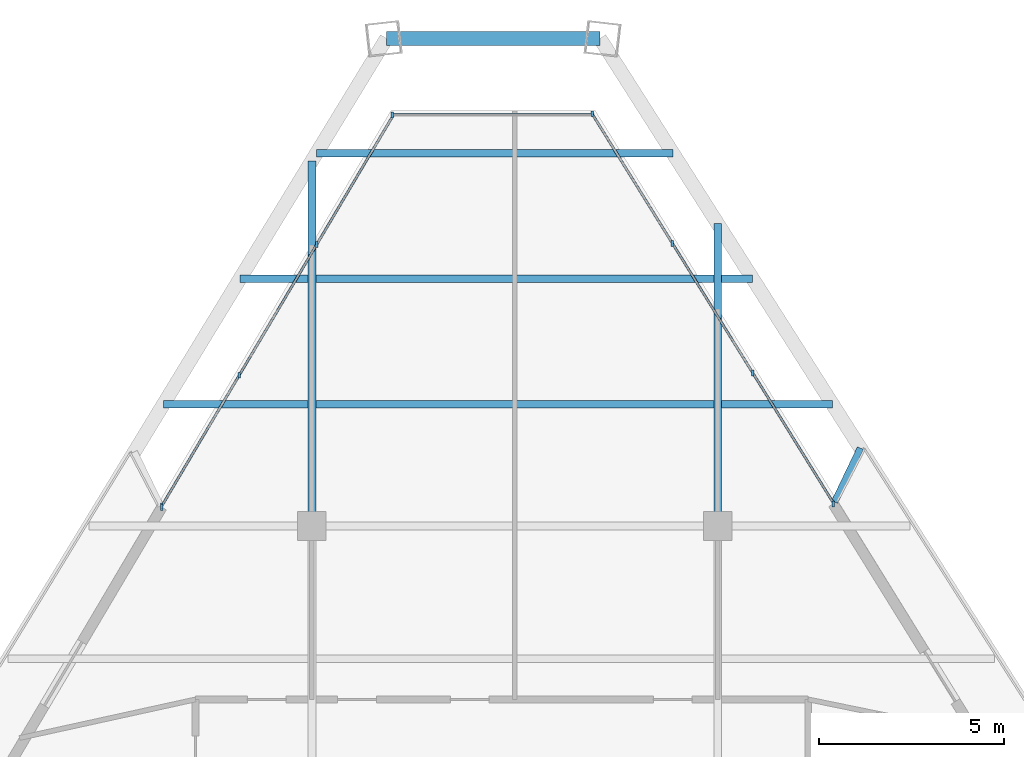
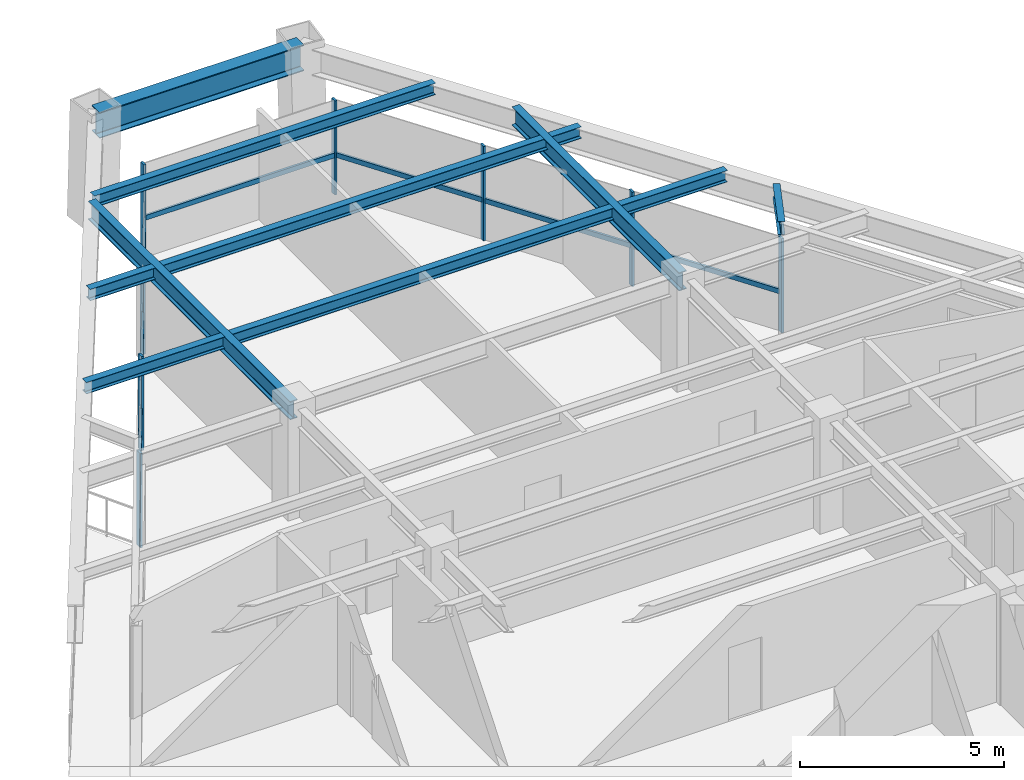
# One storey, part 6 of 12: 16 members, 10 beams, 3 elements without a shape of their own.
"""IFC4 building model written with IfcOpenShell, lengths in metres."""

from ifc_helpers import new_model, si_unit, direction, frame, origin, origin_2d, place, context, subcontext, project, spatial, rectangle, i_section, extrude, source, transform, mapped, material, material_profile, profile_set, type_object, type_shapes, element, aggregate, save


model = new_model("IFC4")

# Units and contexts
model_context = context("Model", 3, precision=1e-05, world=origin(), true_north=direction((0.0, 1.0)))
body_context = subcontext(model_context, "Body", "Model", "MODEL_VIEW")
ifc_project = project(units=[si_unit("LENGTHUNIT", "METRE"), si_unit("AREAUNIT", "SQUARE_METRE"), si_unit("VOLUMEUNIT", "CUBIC_METRE"), si_unit("PLANEANGLEUNIT", "RADIAN"), si_unit("MASSUNIT", "GRAM", prefix="KILO")], contexts=[model_context])

# Site, building, storey
site_placement = place(None, origin())
site = spatial("IfcSite", under=ifc_project, at=site_placement, CompositionType="ELEMENT")
building_placement = place(site_placement, origin())
building = spatial("IfcBuilding", under=site, at=building_placement, Name="Varnakhor Terracotta Tower", CompositionType="ELEMENT")
storey_placement = place(building_placement, frame((0.0, 0.0, 233.800048828125)))
storey = spatial("IfcBuildingStorey", under=building, at=storey_placement, Name="L60", CompositionType="ELEMENT", Elevation=233.800048828125)

# Beams
ifc_material_1 = material(Name="Steel S355", Category="steel")
ifc_material_profile_1 = material_profile(ifc_material_1, i_section(OverallWidth=0.202880859375, OverallDepth=0.346923828125, WebThickness=0.0078125, FlangeThickness=0.013427734375, FilletRadius=0.01806640625, at=origin_2d()), Name="W14X43")
ifc_profile_set_1 = profile_set([ifc_material_profile_1], Name="Steel S355")
beam_type_1 = type_object("IfcBeamType", Name="JST-W14X43", PredefinedType="JOIST", material=ifc_profile_set_1)
shared_shape_1 = source(origin(), body_context, "Body", "SweptSolid", [
    extrude(i_section(OverallWidth=0.202880859375, OverallDepth=0.346923828125, WebThickness=0.0078125, FlangeThickness=0.013427734375, FilletRadius=0.01806640625, at=origin_2d()), origin(), (0.0, 0.0, 1.0), 10.7939453125),
])
beam_1_placement = place(storey_placement, frame((-5.39697265625, 34.800048828125, 3.06640625), z_axis=(1.0, 0.0, 0.0), x_axis=(0.0, 1.0, 0.0)))
element("IfcBeam", 1, at=beam_1_placement, inside=storey, type_object=beam_type_1, Name="L60 Composite Floor Joist 7-2", PredefinedType="JOIST", context=body_context, shape_type="MappedRepresentation", body=[
    mapped(shared_shape_1, transform((0.0, 0.0, 0.0), scale=1.0)),
])
ifc_material_profile_2 = material_profile(ifc_material_1, i_section(OverallWidth=0.381103515625, OverallDepth=0.77294921875, WebThickness=0.01708984375, FlangeThickness=0.027099609375, FilletRadius=0.01806640625, at=origin_2d()), Name="W30X173")
ifc_profile_set_2 = profile_set([ifc_material_profile_2], Name="Steel S355")
beam_type_2 = type_object("IfcBeamType", Name="BM-W30X173", PredefinedType="BEAM", material=ifc_profile_set_2)
shared_shape_2 = source(origin(), body_context, "Body", "SweptSolid", [
    extrude(i_section(OverallWidth=0.381103515625, OverallDepth=0.77294921875, WebThickness=0.01708984375, FlangeThickness=0.027099609375, FilletRadius=0.01806640625, at=origin_2d()), origin(), (0.0, 0.0, 1.0), 5.782958984375),
])
beam_2_placement = place(storey_placement, frame((2.306396484375, 44.710693359375, 2.853515625), z_axis=(-1.0, 0.0, 0.0), x_axis=(0.0, -1.0, 0.0)))
element("IfcBeam", 2, at=beam_2_placement, inside=storey, type_object=beam_type_2, Name="L60 Perimeter Spandrel 5", PredefinedType="BEAM", context=body_context, shape_type="MappedRepresentation", body=[
    mapped(shared_shape_2, transform((0.0, 0.0, 0.0), scale=1.0)),
])
ifc_material_profile_3 = material_profile(ifc_material_1, i_section(OverallWidth=0.214111328125, OverallDepth=0.549072265625, WebThickness=0.014892578125, FlangeThickness=0.02392578125, FilletRadius=0.01806640625, at=origin_2d()), Name="W21X93")
ifc_profile_set_3 = profile_set([ifc_material_profile_3], Name="Steel S355")
beam_type_3 = type_object("IfcBeamType", Name="BM-W21X93", PredefinedType="BEAM", material=ifc_profile_set_3)
shared_shape_3 = source(origin(), body_context, "Body", "SweptSolid", [
    extrude(i_section(OverallWidth=0.214111328125, OverallDepth=0.549072265625, WebThickness=0.014892578125, FlangeThickness=0.02392578125, FilletRadius=0.01806640625, at=origin_2d()), origin(), (0.0, 0.0, 1.0), 9.89208984375),
])
beam_3_placement = place(storey_placement, frame((-5.5, 31.5, 2.96533203125), z_axis=(0.0, 1.0, 0.0), x_axis=(-1.0, 0.0, 0.0)))
element("IfcBeam", 3, at=beam_3_placement, inside=storey, type_object=beam_type_3, Name="L60 Primary Girder NS3-W", PredefinedType="BEAM", context=body_context, shape_type="MappedRepresentation", body=[
    mapped(shared_shape_3, transform((0.0, 0.0, 0.0), scale=1.0)),
])
shared_shape_4 = source(origin(), body_context, "Body", "SweptSolid", [
    extrude(i_section(OverallWidth=0.214111328125, OverallDepth=0.549072265625, WebThickness=0.014892578125, FlangeThickness=0.02392578125, FilletRadius=0.01806640625, at=origin_2d()), origin(), (0.0, 0.0, 1.0), 8.188720703125),
])
beam_4_placement = place(storey_placement, frame((5.5, 31.5, 2.96533203125), z_axis=(0.0, 1.0, 0.0), x_axis=(-1.0, 0.0, 0.0)))
element("IfcBeam", 4, at=beam_4_placement, inside=storey, type_object=beam_type_3, Name="L60 Primary Girder NS3-E", PredefinedType="BEAM", context=body_context, shape_type="MappedRepresentation", body=[
    mapped(shared_shape_4, transform((0.0, 0.0, 0.0), scale=1.0)),
])
shared_shape_5 = source(origin(), body_context, "Body", "SweptSolid", [
    extrude(i_section(OverallWidth=0.202880859375, OverallDepth=0.346923828125, WebThickness=0.0078125, FlangeThickness=0.013427734375, FilletRadius=0.01806640625, at=origin_2d()), origin(), (0.0, 0.0, 1.0), 3.916259765625),
])
beam_5_placement = place(storey_placement, frame((-9.519287109375, 34.800048828125, 3.06640625), z_axis=(1.0, 0.0, 0.0), x_axis=(0.0, 1.0, 0.0)))
element("IfcBeam", 5, at=beam_5_placement, inside=storey, type_object=beam_type_1, Name="L60 Composite Floor Joist 7-1", PredefinedType="JOIST", context=body_context, shape_type="MappedRepresentation", body=[
    mapped(shared_shape_5, transform((0.0, 0.0, 0.0), scale=1.0)),
])
shared_shape_6 = source(origin(), body_context, "Body", "SweptSolid", [
    extrude(i_section(OverallWidth=0.202880859375, OverallDepth=0.346923828125, WebThickness=0.0078125, FlangeThickness=0.013427734375, FilletRadius=0.01806640625, at=origin_2d()), origin(), (0.0, 0.0, 1.0), 3.00537109375),
])
beam_6_placement = place(storey_placement, frame((5.60302734375, 34.800048828125, 3.06640625), z_axis=(1.0, 0.0, 0.0), x_axis=(0.0, 1.0, 0.0)))
element("IfcBeam", 6, at=beam_6_placement, inside=storey, type_object=beam_type_1, Name="L60 Composite Floor Joist 7-3", PredefinedType="JOIST", context=body_context, shape_type="MappedRepresentation", body=[
    mapped(shared_shape_6, transform((0.0, 0.0, 0.0), scale=1.0)),
])
shared_shape_7 = source(origin(), body_context, "Body", "SweptSolid", [
    extrude(i_section(OverallWidth=0.202880859375, OverallDepth=0.346923828125, WebThickness=0.0078125, FlangeThickness=0.013427734375, FilletRadius=0.01806640625, at=origin_2d()), origin(), (0.0, 0.0, 1.0), 1.84326171875),
])
beam_7_placement = place(storey_placement, frame((-7.4462890625, 38.199951171875, 3.06640625), z_axis=(1.0, 0.0, 0.0), x_axis=(0.0, 1.0, 0.0)))
element("IfcBeam", 7, at=beam_7_placement, inside=storey, type_object=beam_type_1, Name="L60 Composite Floor Joist 8-1", PredefinedType="JOIST", context=body_context, shape_type="MappedRepresentation", body=[
    mapped(shared_shape_7, transform((0.0, 0.0, 0.0), scale=1.0)),
])
shared_shape_8 = source(origin(), body_context, "Body", "SweptSolid", [
    extrude(i_section(OverallWidth=0.202880859375, OverallDepth=0.346923828125, WebThickness=0.0078125, FlangeThickness=0.013427734375, FilletRadius=0.01806640625, at=origin_2d()), origin(), (0.0, 0.0, 1.0), 11.843505859375),
])
beam_8_placement = place(storey_placement, frame((-5.39697265625, 38.199951171875, 3.06640625), z_axis=(1.0, 0.0, 0.0), x_axis=(0.0, 1.0, 0.0)))
element("IfcBeam", 8, at=beam_8_placement, inside=storey, type_object=beam_type_1, Name="L60 Composite Floor Joist 8-2", PredefinedType="JOIST", context=body_context, shape_type="MappedRepresentation", body=[
    mapped(shared_shape_8, transform((0.0, 0.0, 0.0), scale=1.0)),
])
shared_shape_9 = source(origin(), body_context, "Body", "SweptSolid", [
    extrude(i_section(OverallWidth=0.202880859375, OverallDepth=0.346923828125, WebThickness=0.0078125, FlangeThickness=0.013427734375, FilletRadius=0.01806640625, at=origin_2d()), origin(), (0.0, 0.0, 1.0), 9.657958984375),
])
beam_9_placement = place(storey_placement, frame((-5.373291015625, 41.60009765625, 3.06640625), z_axis=(1.0, 0.0, 0.0), x_axis=(0.0, 1.0, 0.0)))
element("IfcBeam", 9, at=beam_9_placement, inside=storey, type_object=beam_type_1, Name="L60 Composite Floor Joist 9-1", PredefinedType="JOIST", context=body_context, shape_type="MappedRepresentation", body=[
    mapped(shared_shape_9, transform((0.0, 0.0, 0.0), scale=1.0)),
])

# Curtain wall, members
ifc_material_2 = material(Name="Anodised Aluminium Curtain Wall System", Category="aluminium")
curtain_wall_type = type_object("IfcCurtainWallType", Name="CW-SYS-HOTEL-LOGGIA", PredefinedType="NOTDEFINED", material=ifc_material_2)
curtain_wall_1_placement = place(storey_placement, origin())
curtain_wall_1 = element("IfcCurtainWall", 10, at=curtain_wall_1_placement, inside=storey, type_object=curtain_wall_type, Name="L60 W Facet Curtain Wall 2", PredefinedType="NOTDEFINED")
ifc_material_3 = material(Name="Anodised Aluminium 6063-T6", Category="aluminium")
ifc_material_profile_4 = material_profile(ifc_material_3, rectangle(XDim=0.06494140625, YDim=0.159912109375, at=origin_2d()), Name="ALU MULLION 65x160")
ifc_profile_set_4 = profile_set([ifc_material_profile_4], Name="Anodised Aluminium 6063-T6")
member_type_1 = type_object("IfcMemberType", Name="CWM-04", PredefinedType="MULLION", material=ifc_profile_set_4)
shared_shape_10 = source(origin(), body_context, "Body", "SweptSolid", [
    extrude(rectangle(XDim=0.06494140625, YDim=0.159912109375, at=origin_2d()), origin(), (0.0, 0.0, 1.0), 2.820068359375),
])
type_shapes(member_type_1, [shared_shape_10])
member_1_placement = place(storey_placement, frame((-9.565185546875, 32.040771484375, 0.0), z_axis=(0.0, 0.0, 1.0), x_axis=(1.0, 0.0, 0.0)))
member_1 = element("IfcMember", 11, at=member_1_placement, type_object=member_type_1, Name="L60 W Facet Curtain Wall 2 Mullion 1", PredefinedType="MULLION", context=body_context, shape_type="MappedRepresentation", body=[
    mapped(shared_shape_10, transform((0.0, 0.0, 0.0), scale=1.0)),
])
member_2_placement = place(storey_placement, frame((-7.4658203125, 35.584228515625, 0.0), z_axis=(0.0, 0.0, 1.0), x_axis=(1.0, 0.0, 0.0)))
member_2 = element("IfcMember", 12, at=member_2_placement, type_object=member_type_1, Name="L60 W Facet Curtain Wall 2 Mullion 2", PredefinedType="MULLION", context=body_context, shape_type="MappedRepresentation", body=[
    mapped(shared_shape_10, transform((0.0, 0.0, 0.0), scale=1.0)),
])
member_3_placement = place(storey_placement, frame((-5.3662109375, 39.127685546875, 0.0), z_axis=(0.0, 0.0, 1.0), x_axis=(1.0, 0.0, 0.0)))
member_3 = element("IfcMember", 13, at=member_3_placement, type_object=member_type_1, Name="L60 W Facet Curtain Wall 2 Mullion 3", PredefinedType="MULLION", context=body_context, shape_type="MappedRepresentation", body=[
    mapped(shared_shape_10, transform((0.0, 0.0, 0.0), scale=1.0)),
])
member_4_placement = place(storey_placement, frame((-9.563232421875, 32.0048828125, 0.0), z_axis=(0.0, 0.0, 1.0), x_axis=(1.0, 0.0, 0.0)))
member_4 = element("IfcMember", 14, at=member_4_placement, type_object=member_type_1, Name="L60 W Loggia Jamb Closure Mullion 2", PredefinedType="MULLION", context=body_context, shape_type="MappedRepresentation", body=[
    mapped(shared_shape_10, transform((0.0, 0.0, 0.0), scale=1.0)),
])

# Curtain wall, member
curtain_wall_2_placement = place(storey_placement, origin())
curtain_wall_2 = element("IfcCurtainWall", 15, at=curtain_wall_2_placement, inside=storey, type_object=curtain_wall_type, Name="L60 Facet Curtain Wall 2", PredefinedType="NOTDEFINED")
member_5_placement = place(storey_placement, frame((-3.32470703125, 42.63818359375, 0.0), z_axis=(0.0, 0.0, 1.0), x_axis=(1.0, 0.0, 0.0)))
member_5 = element("IfcMember", 16, at=member_5_placement, type_object=member_type_1, Name="L60 Facet Curtain Wall 2 Mullion 1", PredefinedType="MULLION", context=body_context, shape_type="MappedRepresentation", body=[
    mapped(shared_shape_10, transform((0.0, 0.0, 0.0), scale=1.0)),
])

# Curtain wall, members
curtain_wall_3_placement = place(storey_placement, origin())
curtain_wall_3 = element("IfcCurtainWall", 17, at=curtain_wall_3_placement, inside=storey, type_object=curtain_wall_type, Name="L60 E Facet Curtain Wall 1", PredefinedType="NOTDEFINED")
member_6_placement = place(storey_placement, frame((2.094482421875, 42.66943359375, 0.0), z_axis=(0.0, 0.0, 1.0), x_axis=(1.0, 0.0, 0.0)))
member_6 = element("IfcMember", 18, at=member_6_placement, type_object=member_type_1, Name="L60 E Facet Curtain Wall 1 Mullion 1", PredefinedType="MULLION", context=body_context, shape_type="MappedRepresentation", body=[
    mapped(shared_shape_10, transform((0.0, 0.0, 0.0), scale=1.0)),
])
member_7_placement = place(storey_placement, frame((4.271484375, 39.157958984375, 0.0), z_axis=(0.0, 0.0, 1.0), x_axis=(1.0, 0.0, 0.0)))
member_7 = element("IfcMember", 19, at=member_7_placement, type_object=member_type_1, Name="L60 E Facet Curtain Wall 1 Mullion 2", PredefinedType="MULLION", context=body_context, shape_type="MappedRepresentation", body=[
    mapped(shared_shape_10, transform((0.0, 0.0, 0.0), scale=1.0)),
])
member_8_placement = place(storey_placement, frame((6.448486328125, 35.646240234375, 0.0), z_axis=(0.0, 0.0, 1.0), x_axis=(1.0, 0.0, 0.0)))
member_8 = element("IfcMember", 20, at=member_8_placement, type_object=member_type_1, Name="L60 E Facet Curtain Wall 1 Mullion 3", PredefinedType="MULLION", context=body_context, shape_type="MappedRepresentation", body=[
    mapped(shared_shape_10, transform((0.0, 0.0, 0.0), scale=1.0)),
])
member_9_placement = place(storey_placement, frame((8.62451171875, 32.0986328125, 0.0), z_axis=(0.0, 0.0, 1.0), x_axis=(1.0, 0.0, 0.0)))
member_9 = element("IfcMember", 21, at=member_9_placement, type_object=member_type_1, Name="L60 E Loggia Jamb Closure Mullion 1", PredefinedType="MULLION", context=body_context, shape_type="MappedRepresentation", body=[
    mapped(shared_shape_10, transform((0.0, 0.0, 0.0), scale=1.0)),
])

# Member
ifc_material_profile_5 = material_profile(ifc_material_3, rectangle(XDim=0.06494140625, YDim=0.14501953125, at=origin_2d()), Name="ALU TRANSOM 65x145")
ifc_profile_set_5 = profile_set([ifc_material_profile_5], Name="Anodised Aluminium 6063-T6")
member_type_2 = type_object("IfcMemberType", Name="CWT-04", PredefinedType="USERDEFINED", material=ifc_profile_set_5)
shared_shape_11 = source(origin(), body_context, "Body", "SweptSolid", [
    extrude(rectangle(XDim=0.06494140625, YDim=0.14501953125, at=origin_2d()), origin(), (0.0, 0.0, 1.0), 4.118896484375),
])
member_10_placement = place(storey_placement, frame((-7.4658203125, 35.584228515625, 1.184326171875), z_axis=(0.509763394774, 0.860314640901, 0.0), x_axis=(-0.860314640901, 0.509763394774, 0.0)))
member_10 = element("IfcMember", 22, at=member_10_placement, type_object=member_type_2, Name="L60 W Facet Curtain Wall 2 Transom 2", ObjectType="TRANSOM", PredefinedType="USERDEFINED", context=body_context, shape_type="MappedRepresentation", body=[
    mapped(shared_shape_11, transform((0.0, 0.0, 0.0), scale=1.0)),
])

shared_shape_12 = source(origin(), body_context, "Body", "SweptSolid", [
    extrude(rectangle(XDim=0.06494140625, YDim=0.14501953125, at=origin_2d()), origin(), (0.0, 0.0, 1.0), 4.11865234375),
])
member_11_placement = place(storey_placement, frame((-9.565185546875, 32.040771484375, 1.184326171875), z_axis=(0.509719521049, 0.860340635947, 0.0), x_axis=(-0.860340635947, 0.509719521049, 0.0)))
member_11 = element("IfcMember", 23, at=member_11_placement, type_object=member_type_2, Name="L60 W Facet Curtain Wall 2 Transom 1", ObjectType="TRANSOM", PredefinedType="USERDEFINED", context=body_context, shape_type="MappedRepresentation", body=[
    mapped(shared_shape_12, transform((0.0, 0.0, 0.0), scale=1.0)),
])

member_12_placement = place(storey_placement, frame((-5.3662109375, 39.127685546875, 1.184326171875), z_axis=(0.509719521049, 0.860340635947, 0.0), x_axis=(-0.860340635947, 0.509719521049, 0.0)))
member_12 = element("IfcMember", 24, at=member_12_placement, type_object=member_type_2, Name="L60 W Facet Curtain Wall 2 Transom 3", ObjectType="TRANSOM", PredefinedType="USERDEFINED", context=body_context, shape_type="MappedRepresentation", body=[
    mapped(shared_shape_12, transform((0.0, 0.0, 0.0), scale=1.0)),
])

aggregate(curtain_wall_1, [member_1, member_11, member_2, member_10, member_3, member_12, member_4])

shared_shape_13 = source(origin(), body_context, "Body", "SweptSolid", [
    extrude(rectangle(XDim=0.06494140625, YDim=0.14501953125, at=origin_2d()), origin(), (0.0, 0.0, 1.0), 5.4755859375),
])
member_13_placement = place(storey_placement, frame((-3.32470703125, 42.63818359375, 1.184326171875), z_axis=(1.0, 0.0, 0.0), x_axis=(0.0, 1.0, 0.0)))
member_13 = element("IfcMember", 25, at=member_13_placement, type_object=member_type_2, Name="L60 Facet Curtain Wall 2 Transom 1", ObjectType="TRANSOM", PredefinedType="USERDEFINED", context=body_context, shape_type="MappedRepresentation", body=[
    mapped(shared_shape_13, transform((0.0, 0.0, 0.0), scale=1.0)),
])

aggregate(curtain_wall_2, [member_5, member_13])

shared_shape_14 = source(origin(), body_context, "Body", "SweptSolid", [
    extrude(rectangle(XDim=0.06494140625, YDim=0.14501953125, at=origin_2d()), origin(), (0.0, 0.0, 1.0), 4.131591796875),
])
member_14_placement = place(storey_placement, frame((2.094482421875, 42.66943359375, 1.184326171875), z_axis=(0.526920034115, -0.849914864941, 0.0), x_axis=(0.849914864941, 0.526920034115, 0.0)))
member_14 = element("IfcMember", 26, at=member_14_placement, type_object=member_type_2, Name="L60 E Facet Curtain Wall 1 Transom 1", ObjectType="TRANSOM", PredefinedType="USERDEFINED", context=body_context, shape_type="MappedRepresentation", body=[
    mapped(shared_shape_14, transform((0.0, 0.0, 0.0), scale=1.0)),
])

member_15_placement = place(storey_placement, frame((6.448486328125, 35.646240234375, 1.184326171875), z_axis=(0.526920034115, -0.849914864941, 0.0), x_axis=(0.849914864941, 0.526920034115, 0.0)))
member_15 = element("IfcMember", 27, at=member_15_placement, type_object=member_type_2, Name="L60 E Facet Curtain Wall 1 Transom 3", ObjectType="TRANSOM", PredefinedType="USERDEFINED", context=body_context, shape_type="MappedRepresentation", body=[
    mapped(shared_shape_14, transform((0.0, 0.0, 0.0), scale=1.0)),
])

shared_shape_15 = source(origin(), body_context, "Body", "SweptSolid", [
    extrude(rectangle(XDim=0.06494140625, YDim=0.14501953125, at=origin_2d()), origin(), (0.0, 0.0, 1.0), 4.1318359375),
])
member_16_placement = place(storey_placement, frame((4.271484375, 39.157958984375, 1.184326171875), z_axis=(0.526893571762, -0.849931270184, 0.0), x_axis=(0.849931270184, 0.526893571762, 0.0)))
member_16 = element("IfcMember", 28, at=member_16_placement, type_object=member_type_2, Name="L60 E Facet Curtain Wall 1 Transom 2", ObjectType="TRANSOM", PredefinedType="USERDEFINED", context=body_context, shape_type="MappedRepresentation", body=[
    mapped(shared_shape_15, transform((0.0, 0.0, 0.0), scale=1.0)),
])

aggregate(curtain_wall_3, [member_6, member_14, member_7, member_16, member_8, member_15, member_9])

# Beam
ifc_material_profile_6 = material_profile(ifc_material_1, i_section(OverallWidth=0.179931640625, OverallDepth=0.39990234375, WebThickness=0.008544921875, FlangeThickness=0.013427734375, FilletRadius=0.01806640625, at=origin_2d()), Name="IPE400")
ifc_profile_set_6 = profile_set([ifc_material_profile_6], Name="Steel S355")
beam_type_4 = type_object("IfcBeamType", Name="JST-IPE400", PredefinedType="JOIST", material=ifc_profile_set_6)
shared_shape_16 = source(origin(), body_context, "Body", "SweptSolid", [
    extrude(i_section(OverallWidth=0.179931640625, OverallDepth=0.39990234375, WebThickness=0.008544921875, FlangeThickness=0.013427734375, FilletRadius=0.01806640625, at=origin_2d()), origin(), (0.0, 0.0, 1.0), 1.62353515625),
])
beam_10_placement = place(storey_placement, frame((8.663818359375, 32.1455078125, 3.0400390625), z_axis=(0.432173683579, 0.901790389848, 0.0), x_axis=(-0.901790389848, 0.432173683579, 0.0)))
element("IfcBeam", 29, at=beam_10_placement, inside=storey, type_object=beam_type_4, Name="L61 E Loggia Tie Beam 1", PredefinedType="JOIST", context=body_context, shape_type="MappedRepresentation", body=[
    mapped(shared_shape_16, transform((0.0, 0.0, 0.0), scale=1.0)),
])

save(model, "model.ifc")
